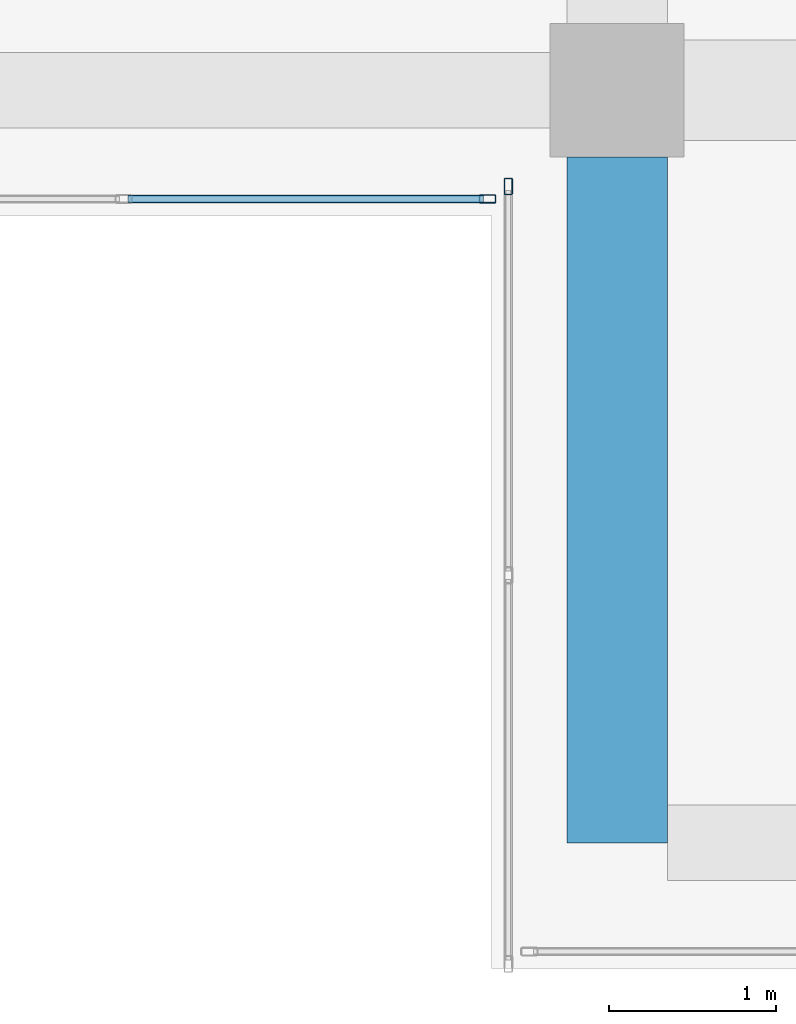
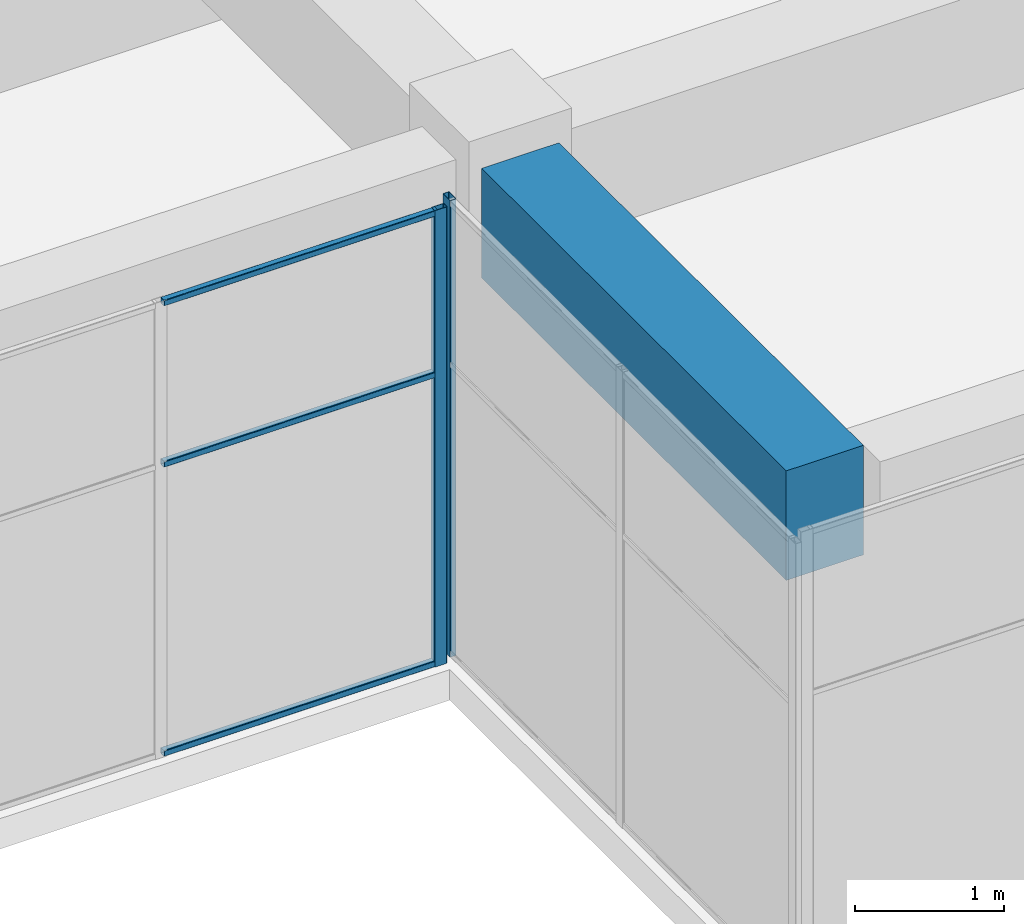
# One storey, part 14 of 65: 5 members, 1 beam, 2 elements without a shape of their own.
"""IFC4 building model written with IfcOpenShell, lengths in metres."""

from ifc_helpers import new_model, si_unit, direction, frame, origin, origin_2d, place, context, subcontext, project, spatial, rectangle, hollow_rectangle, extrude, material, layer, layer_set, material_profile, profile_set, type_object, element, aggregate, save


model = new_model("IFC4")

# Units and contexts
model_context = context("Model", 3, precision=1e-05, world=origin(), true_north=direction((0.0, 1.0)))
body_context = subcontext(model_context, "Body", "Model", "MODEL_VIEW")
ifc_project = project(units=[si_unit("LENGTHUNIT", "METRE"), si_unit("AREAUNIT", "SQUARE_METRE"), si_unit("VOLUMEUNIT", "CUBIC_METRE"), si_unit("PLANEANGLEUNIT", "RADIAN"), si_unit("MASSUNIT", "GRAM", prefix="KILO")], contexts=[model_context])

# Site, building, storey
site_placement = place(None, origin())
site = spatial("IfcSite", under=ifc_project, at=site_placement, CompositionType="ELEMENT")
building_placement = place(site_placement, origin())
building = spatial("IfcBuilding", under=site, at=building_placement, Name="Tuart Plaza Theatre", CompositionType="ELEMENT")
storey_placement = place(building_placement, frame((0.0, 0.0, 9.5)))
storey = spatial("IfcBuildingStorey", under=building, at=storey_placement, Name="L02", CompositionType="ELEMENT", Elevation=9.5)

# Beam
ifc_material_1 = material(Name="Concrete N40 (40 MPa)", Category="concrete")
ifc_material_profile_1 = material_profile(ifc_material_1, rectangle(XDim=0.60009765625, YDim=0.89990234375, at=origin_2d()), Name="BEAM 600x900 Concrete N40 (40 MPa)")
ifc_profile_set_1 = profile_set([ifc_material_profile_1], Name="Concrete N40 (40 MPa)")
beam_type = type_object("IfcBeamType", Name="BEAM 600x900 Concrete N40 (40 MPa)", PredefinedType="BEAM", material=ifc_profile_set_1)
beam_placement = place(storey_placement, frame((123.0, 51.5, 3.300048828125), z_axis=(0.0, 1.0, 0.0), x_axis=(-1.0, 0.0, 0.0)))
element("IfcBeam", 1, at=beam_placement, inside=storey, type_object=beam_type, Name="RB173", PredefinedType="BEAM", context=body_context, shape_type="SweptSolid", body=[
    extrude(rectangle(XDim=0.60009765625, YDim=0.89990234375, at=origin_2d()), origin(), (0.0, 0.0, 1.0), 4.10009765625),
])

# Curtain wall, member
ifc_material_2 = material(Name="Aluminium and glass", Category="aluminium")
ifc_layer = layer(ifc_material_2, 0.10009765625)
ifc_layer_set = layer_set([ifc_layer], Name="CURTAIN WALL 2000 module")
curtain_wall_type = type_object("IfcCurtainWallType", Name="CURTAIN WALL 2000 module", PredefinedType="NOTDEFINED", material=ifc_layer_set)
curtain_wall_1_placement = place(storey_placement, origin())
curtain_wall_1 = element("IfcCurtainWall", 2, at=curtain_wall_1_placement, inside=storey, type_object=curtain_wall_type, Name="CW67", PredefinedType="NOTDEFINED")
ifc_material_3 = material(Name="Aluminium 6063-T5", Category="aluminium")
ifc_material_profile_2 = material_profile(ifc_material_3, hollow_rectangle(XDim=0.050048828125, YDim=0.10009765625, WallThickness=0.00390625, InnerFilletRadius=0.00390625, OuterFilletRadius=0.008056640625, at=origin_2d()), Name="RHS 100x50x4")
ifc_profile_set_2 = profile_set([ifc_material_profile_2], Name="Aluminium 6063-T5")
member_type_1 = type_object("IfcMemberType", Name="MULLION RHS 100x50x4", PredefinedType="MULLION", material=ifc_profile_set_2)
member_1_placement = place(storey_placement, frame((122.35009765625, 55.425048828125, 0.0), z_axis=(0.0, 0.0, 1.0), x_axis=(1.0, 0.0, 0.0)))
member_1 = element("IfcMember", 3, at=member_1_placement, type_object=member_type_1, Name="CW67 mullion 1", PredefinedType="MULLION", context=body_context, shape_type="SweptSolid", body=[
    extrude(hollow_rectangle(XDim=0.050048828125, YDim=0.10009765625, WallThickness=0.00390625, InnerFilletRadius=0.00390625, OuterFilletRadius=0.008056640625, at=origin_2d()), origin(), (0.0, 0.0, 1.0), 3.75),
])
aggregate(curtain_wall_1, [member_1])

# Curtain wall, members
curtain_wall_2_placement = place(storey_placement, origin())
curtain_wall_2 = element("IfcCurtainWall", 4, at=curtain_wall_2_placement, inside=storey, type_object=curtain_wall_type, Name="CW74", PredefinedType="NOTDEFINED")
member_2_placement = place(storey_placement, frame((122.22509765625, 55.35009765625, 0.0), z_axis=(0.0, 0.0, 1.0), x_axis=(0.0, 1.0, 0.0)))
member_2 = element("IfcMember", 5, at=member_2_placement, type_object=member_type_1, Name="CW74 mullion 5", PredefinedType="MULLION", context=body_context, shape_type="SweptSolid", body=[
    extrude(hollow_rectangle(XDim=0.050048828125, YDim=0.10009765625, WallThickness=0.00390625, InnerFilletRadius=0.00390625, OuterFilletRadius=0.008056640625, at=origin_2d()), origin(), (0.0, 0.0, 1.0), 3.75),
])
ifc_material_4 = material(Name="Aluminium 6063-T5", Category="aluminium")
ifc_material_profile_3 = material_profile(ifc_material_4, hollow_rectangle(XDim=0.050048828125, YDim=0.050048828125, WallThickness=0.00390625, InnerFilletRadius=0.00390625, OuterFilletRadius=0.008056640625, at=origin_2d()), Name="RHS 50x50x4")
ifc_profile_set_3 = profile_set([ifc_material_profile_3], Name="Aluminium 6063-T5")
member_type_2 = type_object("IfcMemberType", Name="TRANSOM RHS 50x50x4", PredefinedType="USERDEFINED", material=ifc_profile_set_3)
member_3_placement = place(storey_placement, frame((120.074951171875, 55.35009765625, 0.02490234375), z_axis=(1.0, 0.0, 0.0), x_axis=(0.0, 1.0, 0.0)))
member_3 = element("IfcMember", 6, at=member_3_placement, type_object=member_type_2, Name="CW74 transom 4.1", ObjectType="TRANSOM", PredefinedType="USERDEFINED", context=body_context, shape_type="SweptSolid", body=[
    extrude(hollow_rectangle(XDim=0.050048828125, YDim=0.050048828125, WallThickness=0.00390625, InnerFilletRadius=0.00390625, OuterFilletRadius=0.008056640625, at=origin_2d()), origin(), (0.0, 0.0, 1.0), 2.125),
])
member_4_placement = place(storey_placement, frame((120.074951171875, 55.35009765625, 2.39990234375), z_axis=(1.0, 0.0, 0.0), x_axis=(0.0, 1.0, 0.0)))
member_4 = element("IfcMember", 7, at=member_4_placement, type_object=member_type_2, Name="CW74 transom 4.2", ObjectType="TRANSOM", PredefinedType="USERDEFINED", context=body_context, shape_type="SweptSolid", body=[
    extrude(hollow_rectangle(XDim=0.050048828125, YDim=0.050048828125, WallThickness=0.00390625, InnerFilletRadius=0.00390625, OuterFilletRadius=0.008056640625, at=origin_2d()), origin(), (0.0, 0.0, 1.0), 2.125),
])
member_5_placement = place(storey_placement, frame((120.074951171875, 55.35009765625, 3.72509765625), z_axis=(1.0, 0.0, 0.0), x_axis=(0.0, 1.0, 0.0)))
member_5 = element("IfcMember", 8, at=member_5_placement, type_object=member_type_2, Name="CW74 transom 4.3", ObjectType="TRANSOM", PredefinedType="USERDEFINED", context=body_context, shape_type="SweptSolid", body=[
    extrude(hollow_rectangle(XDim=0.050048828125, YDim=0.050048828125, WallThickness=0.00390625, InnerFilletRadius=0.00390625, OuterFilletRadius=0.008056640625, at=origin_2d()), origin(), (0.0, 0.0, 1.0), 2.125),
])
aggregate(curtain_wall_2, [member_2, member_3, member_4, member_5])

save(model, "model.ifc")
